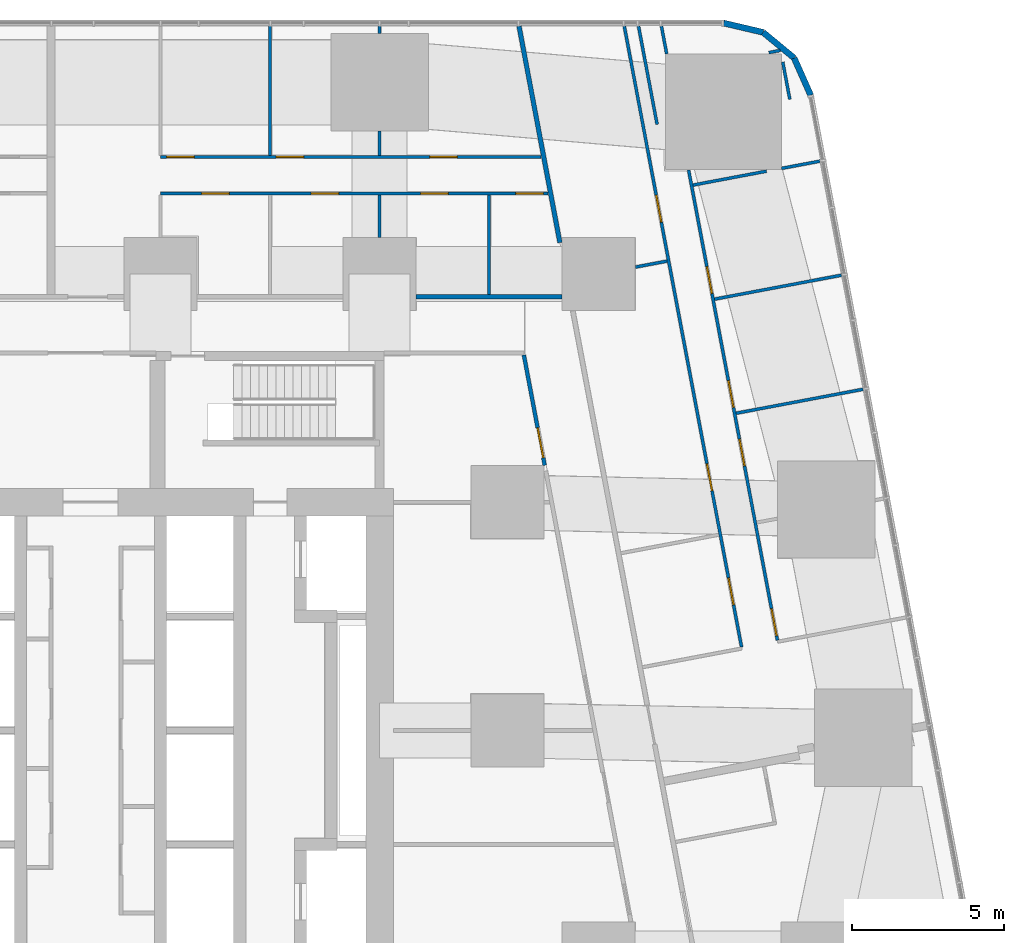
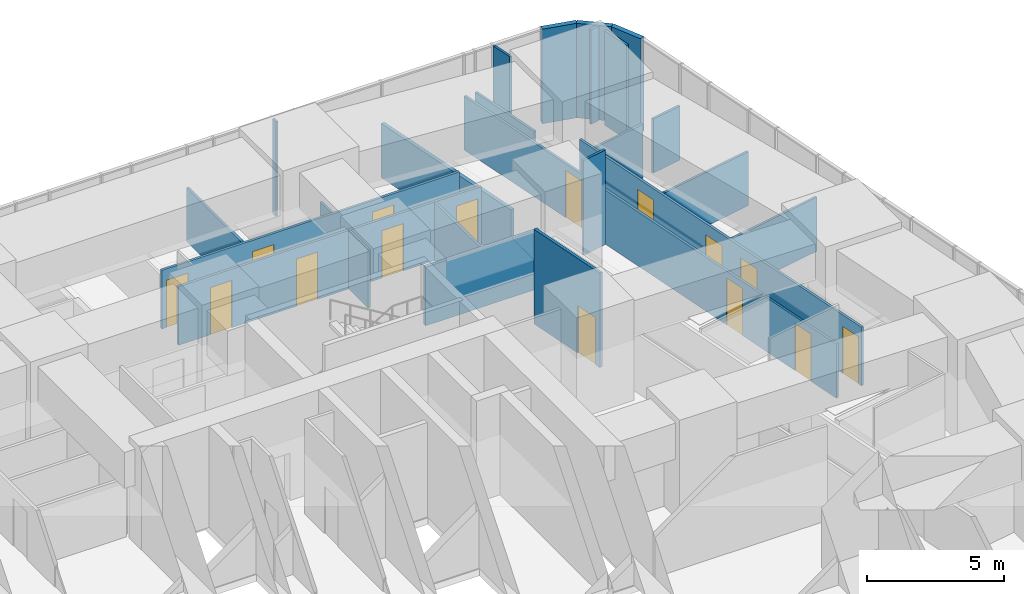
# One storey, part 19 of 23: 24 walls, 15 doors, 15 openings.
"""IFC4 building model written with IfcOpenShell, lengths in metres."""

from ifc_helpers import new_model, si_unit, direction, frame, frame_2d, origin, place, context, subcontext, project, spatial, rectangle, extrude, material, layer, layer_set, type_object, element, fill, save


model = new_model("IFC4")

# Units and contexts
model_context = context("Model", 3, precision=1e-05, world=origin(), true_north=direction((0.0, 1.0)))
body_context = subcontext(model_context, "Body", "Model", "MODEL_VIEW")
ifc_project = project(units=[si_unit("LENGTHUNIT", "METRE"), si_unit("AREAUNIT", "SQUARE_METRE"), si_unit("VOLUMEUNIT", "CUBIC_METRE"), si_unit("PLANEANGLEUNIT", "RADIAN"), si_unit("MASSUNIT", "GRAM", prefix="KILO")], contexts=[model_context])

# Site, building, storey
site_placement = place(None, origin())
site = spatial("IfcSite", under=ifc_project, at=site_placement, CompositionType="ELEMENT")
building_placement = place(site_placement, origin())
building = spatial("IfcBuilding", under=site, at=building_placement, Name="Sheger Commons Tower", CompositionType="ELEMENT")
storey_placement = place(building_placement, frame((0.0, 0.0, 5.60009765625)))
storey = spatial("IfcBuildingStorey", under=building, at=storey_placement, Name="L01", CompositionType="ELEMENT", Elevation=5.60009765625)

# Walls
ifc_material_1 = material(Name="Hollow concrete block masonry, skimmed both sides", Category="masonry")
ifc_layer_1 = layer(ifc_material_1, 0.14990234375)
ifc_layer_set_1 = layer_set([ifc_layer_1], Name="CORRIDOR WALL 150")
wall_type_1 = type_object("IfcWallType", Name="CORRIDOR WALL 150", PredefinedType="SOLIDWALL", material=ifc_layer_set_1)
wall_1_placement = place(storey_placement, frame((30.0009765625, 36.75, 0.0), z_axis=(0.0, 0.0, 1.0), x_axis=(1.0, 0.0, 0.0)))
element("IfcWall", 1, at=wall_1_placement, inside=storey, type_object=wall_type_1, Name="Corridor wall L01", PredefinedType="SOLIDWALL", context=body_context, shape_type="SweptSolid", body=[
    extrude(rectangle(XDim=4.798095703125, YDim=0.14990234375, at=frame_2d((2.39892578125, 0.0))), origin(), (0.0, 0.0, 1.0), 2.599853515625),
])
wall_2_placement = place(storey_placement, frame((33.382080078125, 45.64990234375, 0.0), z_axis=(0.0, 0.0, 1.0), x_axis=(0.185564463355, -0.982632092871, 0.0)))
element("IfcWall", 2, at=wall_2_placement, inside=storey, type_object=wall_type_1, Name="Corridor wall L01", PredefinedType="SOLIDWALL", context=body_context, shape_type="SweptSolid", body=[
    extrude(rectangle(XDim=7.24267578125, YDim=0.14990234375, at=frame_2d((3.621337890625, 0.0))), origin(), (0.0, 0.0, 1.0), 2.39990234375),
])
ifc_material_2 = material(Name="Rendered concrete block masonry, dark grey", Category="masonry")
ifc_layer_2 = layer(ifc_material_2, 0.199951171875)
ifc_layer_set_2 = layer_set([ifc_layer_2], Name="FACADE WALL 200")
wall_type_2 = type_object("IfcWallType", Name="FACADE WALL 200", PredefinedType="SOLIDWALL", material=ifc_layer_set_2)
wall_3_placement = place(storey_placement, frame((42.969970703125, 43.376953125, 0.0), z_axis=(0.0, 0.0, 1.0), x_axis=(-0.406002956633, 0.913871762998, 0.0)))
element("IfcWall", 3, at=wall_3_placement, inside=storey, type_object=wall_type_2, Name="Facade wall L01", PredefinedType="SOLIDWALL", context=body_context, shape_type="SweptSolid", body=[
    extrude(rectangle(XDim=1.33740234375, YDim=0.199951171875, at=frame_2d((0.668701171875, 0.0))), origin(), (0.0, 0.0, 1.0), 4.199951171875),
])
wall_4_placement = place(storey_placement, frame((42.427001953125, 44.59912109375, 0.0), z_axis=(0.0, 0.0, 1.0), x_axis=(-0.770091412544, 0.637933551655, 0.0)))
element("IfcWall", 4, at=wall_4_placement, inside=storey, type_object=wall_type_2, Name="Facade wall L01", PredefinedType="SOLIDWALL", context=body_context, shape_type="SweptSolid", body=[
    extrude(rectangle(XDim=1.324462890625, YDim=0.199951171875, at=frame_2d((0.662109375, 0.0))), origin(), (0.0, 0.0, 1.0), 4.199951171875),
])
wall_5_placement = place(storey_placement, frame((41.406982421875, 45.444091796875, 0.0), z_axis=(0.0, 0.0, 1.0), x_axis=(-0.973453091607, 0.228886606077, 0.0)))
element("IfcWall", 5, at=wall_5_placement, inside=storey, type_object=wall_type_2, Name="Facade wall L01", PredefinedType="SOLIDWALL", context=body_context, shape_type="SweptSolid", body=[
    extrude(rectangle(XDim=1.33642578125, YDim=0.199951171875, at=frame_2d((0.668212890625, 0.0))), origin(), (0.0, 0.0, 1.0), 4.199951171875),
])
ifc_material_3 = material(Name="Gypsum board on steel studs", Category="steel")
ifc_layer_3 = layer(ifc_material_3, 0.10009765625)
ifc_layer_set_3 = layer_set([ifc_layer_3], Name="PARTITION 100")
wall_type_3 = type_object("IfcWallType", Name="PARTITION 100", PredefinedType="PARTITIONING", material=ifc_layer_set_3)
wall_6_placement = place(storey_placement, frame((37.9208984375, 42.41796875, 0.0), z_axis=(0.0, 0.0, 1.0), x_axis=(-0.185713480744, 0.982603940085, 0.0)))
element("IfcWall", 6, at=wall_6_placement, inside=storey, type_object=wall_type_3, Name="Partition L01", PredefinedType="PARTITIONING", context=body_context, shape_type="SweptSolid", body=[
    extrude(rectangle(XDim=3.2890625, YDim=0.10009765625, at=frame_2d((1.64453125, 0.0))), origin(), (0.0, 0.0, 1.0), 2.39990234375),
])
wall_7_placement = place(storey_placement, frame((42.051025390625, 44.468994140625, 0.0), z_axis=(0.0, 0.0, 1.0), x_axis=(0.185728424166, -0.98260111564, 0.0)))
element("IfcWall", 7, at=wall_7_placement, inside=storey, type_object=wall_type_3, Name="Partition L01", PredefinedType="PARTITIONING", context=body_context, shape_type="SweptSolid", body=[
    extrude(rectangle(XDim=1.248779296875, YDim=0.10009765625, at=frame_2d((0.62451171875, 0.0))), origin(), (0.0, 0.0, 1.0), 4.199951171875),
])
wall_8_placement = place(storey_placement, frame((38.06298828125, 45.64990234375, 0.0), z_axis=(0.0, 0.0, 1.0), x_axis=(0.185288147753, -0.982684233262, 0.0)))
element("IfcWall", 8, at=wall_8_placement, inside=storey, type_object=wall_type_3, Name="Partition L01", PredefinedType="PARTITIONING", context=body_context, shape_type="SweptSolid", body=[
    extrude(rectangle(XDim=0.928955078125, YDim=0.10009765625, at=frame_2d((0.46435546875, 0.0))), origin(), (0.0, 0.0, 1.0), 4.199951171875),
])

# Wall, openings, doors
wall_9_placement = place(storey_placement, frame((38.9560546875, 40.919921875, 0.0), z_axis=(0.0, 0.0, 1.0), x_axis=(0.185636914727, -0.982618408077, 0.0)))
wall_9 = element("IfcWall", 9, at=wall_9_placement, inside=storey, type_object=wall_type_3, Name="Partition L01", PredefinedType="PARTITIONING", context=body_context, shape_type="SweptSolid", body=[
    extrude(rectangle(XDim=15.729248046875, YDim=0.10009765625, at=frame_2d((7.86474609375, 0.0))), origin(), (0.0, 0.0, 1.0), 2.599853515625),
])
opening_1_placement = place(wall_9_placement, frame((14.678955078125, 0.0, 0.0)))
opening_1 = element("IfcOpeningElement", 10, at=opening_1_placement, cuts=wall_9, Name="Opening D2", PredefinedType="OPENING", context=body_context, shape_type="SweptSolid", body=[
    extrude(rectangle(XDim=0.89990234375, YDim=2.10009765625, at=frame_2d((0.449951171875, 1.050048828125))), frame((0.0, 0.06005859375, 0.0), z_axis=(0.0, -1.0, 0.0), x_axis=(1.0, 0.0, 0.0)), (0.0, 0.0, 1.0), 0.1201171875),
])
opening_2_placement = place(wall_9_placement, frame((9.0, 0.0, 0.0)))
opening_2 = element("IfcOpeningElement", 11, at=opening_2_placement, cuts=wall_9, Name="Opening D2", PredefinedType="OPENING", context=body_context, shape_type="SweptSolid", body=[
    extrude(rectangle(XDim=0.89990234375, YDim=2.10009765625, at=frame_2d((0.449951171875, 1.050048828125))), frame((0.0, 0.06005859375, 0.0), z_axis=(0.0, -1.0, 0.0), x_axis=(1.0, 0.0, 0.0)), (0.0, 0.0, 1.0), 0.1201171875),
])
opening_3_placement = place(wall_9_placement, frame((7.0458984375, 0.0, 0.0)))
opening_3 = element("IfcOpeningElement", 12, at=opening_3_placement, cuts=wall_9, Name="Opening D2", PredefinedType="OPENING", context=body_context, shape_type="SweptSolid", body=[
    extrude(rectangle(XDim=0.89990234375, YDim=2.10009765625, at=frame_2d((0.449951171875, 1.050048828125))), frame((0.0, 0.06005859375, 0.0), z_axis=(0.0, -1.0, 0.0), x_axis=(1.0, 0.0, 0.0)), (0.0, 0.0, 1.0), 0.1201171875),
])
opening_4_placement = place(wall_9_placement, frame((3.23095703125, 0.0, 0.0)))
opening_4 = element("IfcOpeningElement", 13, at=opening_4_placement, cuts=wall_9, Name="Opening D2", PredefinedType="OPENING", context=body_context, shape_type="SweptSolid", body=[
    extrude(rectangle(XDim=0.89990234375, YDim=2.10009765625, at=frame_2d((0.449951171875, 1.050048828125))), frame((0.0, 0.06005859375, 0.0), z_axis=(0.0, -1.0, 0.0), x_axis=(1.0, 0.0, 0.0)), (0.0, 0.0, 1.0), 0.1201171875),
])
ifc_material_4 = material(Name="Timber door set", Category="wood")
door_type_1 = type_object("IfcDoorType", Name="INTERNAL DOOR 900x2100", OperationType="NOTDEFINED", PredefinedType="DOOR", material=ifc_material_4)
door_1_placement = place(opening_1_placement, origin())
door_1 = element("IfcDoor", 14, at=door_1_placement, inside=storey, type_object=door_type_1, Name="Consulting room door", OperationType="SINGLE_SWING_RIGHT", OverallHeight=2.10009765625, OverallWidth=0.89990234375, PredefinedType="DOOR", context=body_context, shape_type="SweptSolid", body=[
    extrude(rectangle(XDim=0.89990234375, YDim=2.10009765625, at=frame_2d((0.449951171875, 1.050048828125))), frame((0.0, 0.02490234375, 0.0), z_axis=(0.0, -1.0, 0.0), x_axis=(1.0, 0.0, 0.0)), (0.0, 0.0, 1.0), 0.050048828125),
])
fill(opening_1, door_1)
door_2_placement = place(opening_2_placement, origin())
door_2 = element("IfcDoor", 15, at=door_2_placement, inside=storey, type_object=door_type_1, Name="Examination room door", OperationType="SINGLE_SWING_LEFT", OverallHeight=2.10009765625, OverallWidth=0.89990234375, PredefinedType="DOOR", context=body_context, shape_type="SweptSolid", body=[
    extrude(rectangle(XDim=0.89990234375, YDim=2.10009765625, at=frame_2d((0.449951171875, 1.050048828125))), frame((0.0, 0.02490234375, 0.0), z_axis=(0.0, -1.0, 0.0), x_axis=(1.0, 0.0, 0.0)), (0.0, 0.0, 1.0), 0.050048828125),
])
fill(opening_2, door_2)
door_3_placement = place(opening_3_placement, origin())
door_3 = element("IfcDoor", 16, at=door_3_placement, inside=storey, type_object=door_type_1, Name="Consulting room door", OperationType="SINGLE_SWING_RIGHT", OverallHeight=2.10009765625, OverallWidth=0.89990234375, PredefinedType="DOOR", context=body_context, shape_type="SweptSolid", body=[
    extrude(rectangle(XDim=0.89990234375, YDim=2.10009765625, at=frame_2d((0.449951171875, 1.050048828125))), frame((0.0, 0.02490234375, 0.0), z_axis=(0.0, -1.0, 0.0), x_axis=(1.0, 0.0, 0.0)), (0.0, 0.0, 1.0), 0.050048828125),
])
fill(opening_3, door_3)
door_4_placement = place(opening_4_placement, origin())
door_4 = element("IfcDoor", 17, at=door_4_placement, inside=storey, type_object=door_type_1, Name="Examination room door", OperationType="SINGLE_SWING_RIGHT", OverallHeight=2.10009765625, OverallWidth=0.89990234375, PredefinedType="DOOR", context=body_context, shape_type="SweptSolid", body=[
    extrude(rectangle(XDim=0.89990234375, YDim=2.10009765625, at=frame_2d((0.449951171875, 1.050048828125))), frame((0.0, 0.02490234375, 0.0), z_axis=(0.0, -1.0, 0.0), x_axis=(1.0, 0.0, 0.0)), (0.0, 0.0, 1.0), 0.050048828125),
])
fill(opening_4, door_4)

wall_10_placement = place(storey_placement, frame((36.842041015625, 45.64990234375, 0.0), z_axis=(0.0, 0.0, 1.0), x_axis=(0.185559483963, -0.982633033188, 0.0)))
wall_10 = element("IfcWall", 18, at=wall_10_placement, inside=storey, type_object=wall_type_3, Name="Partition L01", PredefinedType="PARTITIONING", context=body_context, shape_type="SweptSolid", body=[
    extrude(rectangle(XDim=20.76953125, YDim=0.10009765625, at=frame_2d((10.384765625, 0.0))), origin(), (0.0, 0.0, 1.0), 2.39990234375),
])
opening_5_placement = place(wall_10_placement, frame((18.4619140625, 0.0, 0.0)))
opening_5 = element("IfcOpeningElement", 19, at=opening_5_placement, cuts=wall_10, Name="Opening D2", PredefinedType="OPENING", context=body_context, shape_type="SweptSolid", body=[
    extrude(rectangle(XDim=0.89990234375, YDim=2.10009765625, at=frame_2d((0.449951171875, 1.050048828125))), frame((0.0, 0.06005859375, 0.0), z_axis=(0.0, -1.0, 0.0), x_axis=(1.0, 0.0, 0.0)), (0.0, 0.0, 1.0), 0.1201171875),
])
opening_6_placement = place(wall_10_placement, frame((14.64501953125, 0.0, 0.0)))
opening_6 = element("IfcOpeningElement", 20, at=opening_6_placement, cuts=wall_10, Name="Opening D2", PredefinedType="OPENING", context=body_context, shape_type="SweptSolid", body=[
    extrude(rectangle(XDim=0.89990234375, YDim=2.10009765625, at=frame_2d((0.449951171875, 1.050048828125))), frame((0.0, 0.06005859375, 0.0), z_axis=(0.0, -1.0, 0.0), x_axis=(1.0, 0.0, 0.0)), (0.0, 0.0, 1.0), 0.1201171875),
])
opening_7_placement = place(wall_10_placement, frame((5.655029296875, 0.0, 0.0)))
opening_7 = element("IfcOpeningElement", 21, at=opening_7_placement, cuts=wall_10, Name="Opening D2", PredefinedType="OPENING", context=body_context, shape_type="SweptSolid", body=[
    extrude(rectangle(XDim=0.89990234375, YDim=2.10009765625, at=frame_2d((0.449951171875, 1.050048828125))), frame((0.0, 0.06005859375, 0.0), z_axis=(0.0, -1.0, 0.0), x_axis=(1.0, 0.0, 0.0)), (0.0, 0.0, 1.0), 0.1201171875),
])
door_5_placement = place(opening_5_placement, origin())
door_5 = element("IfcDoor", 22, at=door_5_placement, inside=storey, type_object=door_type_1, Name="Patient WC door", OperationType="SINGLE_SWING_LEFT", OverallHeight=2.10009765625, OverallWidth=0.89990234375, PredefinedType="DOOR", context=body_context, shape_type="SweptSolid", body=[
    extrude(rectangle(XDim=0.89990234375, YDim=2.10009765625, at=frame_2d((0.449951171875, 1.050048828125))), frame((0.0, 0.02490234375, 0.0), z_axis=(0.0, -1.0, 0.0), x_axis=(1.0, 0.0, 0.0)), (0.0, 0.0, 1.0), 0.050048828125),
])
fill(opening_5, door_5)
door_6_placement = place(opening_6_placement, origin())
door_6 = element("IfcDoor", 23, at=door_6_placement, inside=storey, type_object=door_type_1, Name="Treatment room door", OperationType="SINGLE_SWING_LEFT", OverallHeight=2.10009765625, OverallWidth=0.89990234375, PredefinedType="DOOR", context=body_context, shape_type="SweptSolid", body=[
    extrude(rectangle(XDim=0.89990234375, YDim=2.10009765625, at=frame_2d((0.449951171875, 1.050048828125))), frame((0.0, 0.02490234375, 0.0), z_axis=(0.0, -1.0, 0.0), x_axis=(1.0, 0.0, 0.0)), (0.0, 0.0, 1.0), 0.050048828125),
])
fill(opening_6, door_6)
door_7_placement = place(opening_7_placement, origin())
door_7 = element("IfcDoor", 24, at=door_7_placement, inside=storey, type_object=door_type_1, Name="Clean utility store door", OperationType="SINGLE_SWING_LEFT", OverallHeight=2.10009765625, OverallWidth=0.89990234375, PredefinedType="DOOR", context=body_context, shape_type="SweptSolid", body=[
    extrude(rectangle(XDim=0.89990234375, YDim=2.10009765625, at=frame_2d((0.449951171875, 1.050048828125))), frame((0.0, 0.02490234375, 0.0), z_axis=(0.0, -1.0, 0.0), x_axis=(1.0, 0.0, 0.0)), (0.0, 0.0, 1.0), 0.050048828125),
])
fill(opening_7, door_7)

# Walls
wall_11_placement = place(storey_placement, frame((41.968017578125, 44.85009765625, 0.0), z_axis=(0.0, 0.0, 1.0), x_axis=(-0.982433858219, -0.186611131032, 0.0)))
element("IfcWall", 25, at=wall_11_placement, inside=storey, type_object=wall_type_3, Name="Partition L01", PredefinedType="PARTITIONING", context=body_context, shape_type="SweptSolid", body=[
    extrude(rectangle(XDim=0.380615234375, YDim=0.10009765625, at=frame_2d((0.1904296875, 0.0))), origin(), (0.0, 0.0, 1.0), 4.199951171875),
])
wall_12_placement = place(storey_placement, frame((43.277099609375, 41.2119140625, 0.0), z_axis=(0.0, 0.0, 1.0), x_axis=(-0.982617952949, -0.185639323801, 0.0)))
element("IfcWall", 26, at=wall_12_placement, inside=storey, type_object=wall_type_3, Name="Partition L01", PredefinedType="PARTITIONING", context=body_context, shape_type="SweptSolid", body=[
    extrude(rectangle(XDim=1.28759765625, YDim=0.10009765625, at=frame_2d((0.643798828125, 0.0))), origin(), (0.0, 0.0, 1.0), 2.39990234375),
])
wall_13_placement = place(storey_placement, frame((41.52099609375, 40.881103515625, 0.0), z_axis=(0.0, 0.0, 1.0), x_axis=(-0.982628922785, -0.18558124934, 0.0)))
element("IfcWall", 27, at=wall_13_placement, inside=storey, type_object=wall_type_3, Name="Partition L01", PredefinedType="PARTITIONING", context=body_context, shape_type="SweptSolid", body=[
    extrude(rectangle(XDim=2.462646484375, YDim=0.10009765625, at=frame_2d((1.2314453125, 0.0))), origin(), (0.0, 0.0, 1.0), 2.39990234375),
])
wall_14_placement = place(storey_placement, frame((43.985107421875, 37.462890625, 0.0), z_axis=(0.0, 0.0, 1.0), x_axis=(-0.982623519589, -0.185609856287, 0.0)))
element("IfcWall", 28, at=wall_14_placement, inside=storey, type_object=wall_type_3, Name="Partition L01", PredefinedType="PARTITIONING", context=body_context, shape_type="SweptSolid", body=[
    extrude(rectangle(XDim=4.249755859375, YDim=0.10009765625, at=frame_2d((2.125, 0.0))), origin(), (0.0, 0.0, 1.0), 2.39990234375),
])
wall_15_placement = place(storey_placement, frame((44.693115234375, 33.712890625, 0.0), z_axis=(0.0, 0.0, 1.0), x_axis=(-0.982615600536, -0.185651775062, 0.0)))
element("IfcWall", 29, at=wall_15_placement, inside=storey, type_object=wall_type_3, Name="Partition L01", PredefinedType="PARTITIONING", context=body_context, shape_type="SweptSolid", body=[
    extrude(rectangle(XDim=4.2490234375, YDim=0.10009765625, at=frame_2d((2.12451171875, 0.0))), origin(), (0.0, 0.0, 1.0), 2.39990234375),
])
wall_16_placement = place(storey_placement, frame((38.25, 37.925048828125, 0.0), z_axis=(0.0, 0.0, 1.0), x_axis=(-0.982694151031, -0.185235540676, 0.0)))
element("IfcWall", 30, at=wall_16_placement, inside=storey, type_object=wall_type_3, Name="Partition L01", PredefinedType="PARTITIONING", context=body_context, shape_type="SweptSolid", body=[
    extrude(rectangle(XDim=1.058349609375, YDim=0.10009765625, at=frame_2d((0.529296875, 0.0))), origin(), (0.0, 0.0, 1.0), 4.199951171875),
])

# Wall, openings, doors
wall_17_placement = place(storey_placement, frame((21.60009765625, 41.35009765625, 0.0), z_axis=(0.0, 0.0, 1.0), x_axis=(1.0, 0.0, 0.0)))
wall_17 = element("IfcWall", 31, at=wall_17_placement, inside=storey, type_object=wall_type_3, Name="Partition L01", PredefinedType="PARTITIONING", context=body_context, shape_type="SweptSolid", body=[
    extrude(rectangle(XDim=12.5078125, YDim=0.10009765625, at=frame_2d((6.25390625, 0.0))), origin(), (0.0, 0.0, 1.0), 2.599853515625),
])
opening_8_placement = place(wall_17_placement, frame((0.199951171875, 0.0, 0.0)))
opening_8 = element("IfcOpeningElement", 32, at=opening_8_placement, cuts=wall_17, Name="Opening D2", PredefinedType="OPENING", context=body_context, shape_type="SweptSolid", body=[
    extrude(rectangle(XDim=0.89990234375, YDim=2.10009765625, at=frame_2d((0.449951171875, 1.050048828125))), frame((0.0, 0.06005859375, 0.0), z_axis=(0.0, -1.0, 0.0), x_axis=(1.0, 0.0, 0.0)), (0.0, 0.0, 1.0), 0.1201171875),
])
opening_9_placement = place(wall_17_placement, frame((3.800048828125, 0.0, 0.0)))
opening_9 = element("IfcOpeningElement", 33, at=opening_9_placement, cuts=wall_17, Name="Opening D2", PredefinedType="OPENING", context=body_context, shape_type="SweptSolid", body=[
    extrude(rectangle(XDim=0.89990234375, YDim=2.10009765625, at=frame_2d((0.449951171875, 1.050048828125))), frame((0.0, 0.06005859375, 0.0), z_axis=(0.0, -1.0, 0.0), x_axis=(1.0, 0.0, 0.0)), (0.0, 0.0, 1.0), 0.1201171875),
])
opening_10_placement = place(wall_17_placement, frame((8.85009765625, 0.0, 0.0)))
opening_10 = element("IfcOpeningElement", 34, at=opening_10_placement, cuts=wall_17, Name="Opening D2", PredefinedType="OPENING", context=body_context, shape_type="SweptSolid", body=[
    extrude(rectangle(XDim=0.89990234375, YDim=2.10009765625, at=frame_2d((0.449951171875, 1.050048828125))), frame((0.0, 0.06005859375, 0.0), z_axis=(0.0, -1.0, 0.0), x_axis=(1.0, 0.0, 0.0)), (0.0, 0.0, 1.0), 0.1201171875),
])
door_8_placement = place(opening_8_placement, origin())
door_8 = element("IfcDoor", 35, at=door_8_placement, inside=storey, type_object=door_type_1, Name="Consulting room door", OperationType="SINGLE_SWING_LEFT", OverallHeight=2.10009765625, OverallWidth=0.89990234375, PredefinedType="DOOR", context=body_context, shape_type="SweptSolid", body=[
    extrude(rectangle(XDim=0.89990234375, YDim=2.10009765625, at=frame_2d((0.449951171875, 1.050048828125))), frame((0.0, 0.02490234375, 0.0), z_axis=(0.0, -1.0, 0.0), x_axis=(1.0, 0.0, 0.0)), (0.0, 0.0, 1.0), 0.050048828125),
])
fill(opening_8, door_8)
door_9_placement = place(opening_9_placement, origin())
door_9 = element("IfcDoor", 36, at=door_9_placement, inside=storey, type_object=door_type_1, Name="Examination room door", OperationType="SINGLE_SWING_LEFT", OverallHeight=2.10009765625, OverallWidth=0.89990234375, PredefinedType="DOOR", context=body_context, shape_type="SweptSolid", body=[
    extrude(rectangle(XDim=0.89990234375, YDim=2.10009765625, at=frame_2d((0.449951171875, 1.050048828125))), frame((0.0, 0.02490234375, 0.0), z_axis=(0.0, -1.0, 0.0), x_axis=(1.0, 0.0, 0.0)), (0.0, 0.0, 1.0), 0.050048828125),
])
fill(opening_9, door_9)
door_10_placement = place(opening_10_placement, origin())
door_10 = element("IfcDoor", 37, at=door_10_placement, inside=storey, type_object=door_type_1, Name="Consulting room door", OperationType="SINGLE_SWING_LEFT", OverallHeight=2.10009765625, OverallWidth=0.89990234375, PredefinedType="DOOR", context=body_context, shape_type="SweptSolid", body=[
    extrude(rectangle(XDim=0.89990234375, YDim=2.10009765625, at=frame_2d((0.449951171875, 1.050048828125))), frame((0.0, 0.02490234375, 0.0), z_axis=(0.0, -1.0, 0.0), x_axis=(1.0, 0.0, 0.0)), (0.0, 0.0, 1.0), 0.050048828125),
])
fill(opening_10, door_10)

wall_18_placement = place(storey_placement, frame((21.60009765625, 40.14990234375, 0.0), z_axis=(0.0, 0.0, 1.0), x_axis=(1.0, 0.0, 0.0)))
wall_18 = element("IfcWall", 38, at=wall_18_placement, inside=storey, type_object=wall_type_3, Name="Partition L01", PredefinedType="PARTITIONING", context=body_context, shape_type="SweptSolid", body=[
    extrude(rectangle(XDim=12.73486328125, YDim=0.10009765625, at=frame_2d((6.367431640625, 0.0))), origin(), (0.0, 0.0, 1.0), 2.599853515625),
])
opening_11_placement = place(wall_18_placement, frame((1.35009765625, 0.0, 0.0)))
opening_11 = element("IfcOpeningElement", 39, at=opening_11_placement, cuts=wall_18, Name="Opening D2", PredefinedType="OPENING", context=body_context, shape_type="SweptSolid", body=[
    extrude(rectangle(XDim=0.89990234375, YDim=2.10009765625, at=frame_2d((0.449951171875, 1.050048828125))), frame((0.0, 0.06005859375, 0.0), z_axis=(0.0, -1.0, 0.0), x_axis=(1.0, 0.0, 0.0)), (0.0, 0.0, 1.0), 0.1201171875),
])
opening_12_placement = place(wall_18_placement, frame((4.949951171875, 0.0, 0.0)))
opening_12 = element("IfcOpeningElement", 40, at=opening_12_placement, cuts=wall_18, Name="Opening D2", PredefinedType="OPENING", context=body_context, shape_type="SweptSolid", body=[
    extrude(rectangle(XDim=0.89990234375, YDim=2.10009765625, at=frame_2d((0.449951171875, 1.050048828125))), frame((0.0, 0.06005859375, 0.0), z_axis=(0.0, -1.0, 0.0), x_axis=(1.0, 0.0, 0.0)), (0.0, 0.0, 1.0), 0.1201171875),
])
opening_13_placement = place(wall_18_placement, frame((8.550048828125, 0.0, 0.0)))
opening_13 = element("IfcOpeningElement", 41, at=opening_13_placement, cuts=wall_18, Name="Opening D2", PredefinedType="OPENING", context=body_context, shape_type="SweptSolid", body=[
    extrude(rectangle(XDim=0.89990234375, YDim=2.10009765625, at=frame_2d((0.449951171875, 1.050048828125))), frame((0.0, 0.06005859375, 0.0), z_axis=(0.0, -1.0, 0.0), x_axis=(1.0, 0.0, 0.0)), (0.0, 0.0, 1.0), 0.1201171875),
])
opening_14_placement = place(wall_18_placement, frame((11.680908203125, 0.0, 0.0)))
opening_14 = element("IfcOpeningElement", 42, at=opening_14_placement, cuts=wall_18, Name="Opening D2", PredefinedType="OPENING", context=body_context, shape_type="SweptSolid", body=[
    extrude(rectangle(XDim=0.89990234375, YDim=2.10009765625, at=frame_2d((0.449951171875, 1.050048828125))), frame((0.0, 0.06005859375, 0.0), z_axis=(0.0, -1.0, 0.0), x_axis=(1.0, 0.0, 0.0)), (0.0, 0.0, 1.0), 0.1201171875),
])
door_11_placement = place(opening_11_placement, origin())
door_11 = element("IfcDoor", 43, at=door_11_placement, inside=storey, type_object=door_type_1, Name="Patient WC door", OperationType="SINGLE_SWING_RIGHT", OverallHeight=2.10009765625, OverallWidth=0.89990234375, PredefinedType="DOOR", context=body_context, shape_type="SweptSolid", body=[
    extrude(rectangle(XDim=0.89990234375, YDim=2.10009765625, at=frame_2d((0.449951171875, 1.050048828125))), frame((0.0, 0.02490234375, 0.0), z_axis=(0.0, -1.0, 0.0), x_axis=(1.0, 0.0, 0.0)), (0.0, 0.0, 1.0), 0.050048828125),
])
fill(opening_11, door_11)
door_12_placement = place(opening_12_placement, origin())
door_12 = element("IfcDoor", 44, at=door_12_placement, inside=storey, type_object=door_type_1, Name="Treatment room door", OperationType="SINGLE_SWING_LEFT", OverallHeight=2.10009765625, OverallWidth=0.89990234375, PredefinedType="DOOR", context=body_context, shape_type="SweptSolid", body=[
    extrude(rectangle(XDim=0.89990234375, YDim=2.10009765625, at=frame_2d((0.449951171875, 1.050048828125))), frame((0.0, 0.02490234375, 0.0), z_axis=(0.0, -1.0, 0.0), x_axis=(1.0, 0.0, 0.0)), (0.0, 0.0, 1.0), 0.050048828125),
])
fill(opening_12, door_12)
door_13_placement = place(opening_13_placement, origin())
door_13 = element("IfcDoor", 45, at=door_13_placement, inside=storey, type_object=door_type_1, Name="Treatment room door", OperationType="SINGLE_SWING_LEFT", OverallHeight=2.10009765625, OverallWidth=0.89990234375, PredefinedType="DOOR", context=body_context, shape_type="SweptSolid", body=[
    extrude(rectangle(XDim=0.89990234375, YDim=2.10009765625, at=frame_2d((0.449951171875, 1.050048828125))), frame((0.0, 0.02490234375, 0.0), z_axis=(0.0, -1.0, 0.0), x_axis=(1.0, 0.0, 0.0)), (0.0, 0.0, 1.0), 0.050048828125),
])
fill(opening_13, door_13)
door_14_placement = place(opening_14_placement, origin())
door_14 = element("IfcDoor", 46, at=door_14_placement, inside=storey, type_object=door_type_1, Name="Clean utility store door", OperationType="SINGLE_SWING_LEFT", OverallHeight=2.10009765625, OverallWidth=0.89990234375, PredefinedType="DOOR", context=body_context, shape_type="SweptSolid", body=[
    extrude(rectangle(XDim=0.89990234375, YDim=2.10009765625, at=frame_2d((0.449951171875, 1.050048828125))), frame((0.0, 0.02490234375, 0.0), z_axis=(0.0, -1.0, 0.0), x_axis=(1.0, 0.0, 0.0)), (0.0, 0.0, 1.0), 0.050048828125),
])
fill(opening_14, door_14)

# Walls
wall_19_placement = place(storey_placement, frame((25.199951171875, 41.39990234375, 0.0), z_axis=(0.0, 0.0, 1.0), x_axis=(0.0, 1.0, 0.0)))
element("IfcWall", 47, at=wall_19_placement, inside=storey, type_object=wall_type_3, Name="Partition L01", PredefinedType="PARTITIONING", context=body_context, shape_type="SweptSolid", body=[
    extrude(rectangle(XDim=4.25, YDim=0.10009765625, at=frame_2d((2.125, 0.0))), origin(), (0.0, 0.0, 1.0), 2.39990234375),
])
wall_20_placement = place(storey_placement, frame((28.800048828125, 41.39990234375, 0.0), z_axis=(0.0, 0.0, 1.0), x_axis=(0.0, 1.0, 0.0)))
element("IfcWall", 48, at=wall_20_placement, inside=storey, type_object=wall_type_3, Name="Partition L01", PredefinedType="PARTITIONING", context=body_context, shape_type="SweptSolid", body=[
    extrude(rectangle(XDim=0.799072265625, YDim=0.10009765625, at=frame_2d((0.3994140625, 0.0))), origin(), (0.0, 0.0, 1.0), 2.599853515625),
])
wall_21_placement = place(storey_placement, frame((28.800048828125, 45.40087890625, 0.0), z_axis=(0.0, 0.0, 1.0), x_axis=(0.0, 1.0, 0.0)))
element("IfcWall", 49, at=wall_21_placement, inside=storey, type_object=wall_type_3, Name="Partition L01", PredefinedType="PARTITIONING", context=body_context, shape_type="SweptSolid", body=[
    extrude(rectangle(XDim=0.2490234375, YDim=0.10009765625, at=frame_2d((0.12451171875, 0.0))), origin(), (0.0, 0.0, 1.0), 4.199951171875),
])
wall_22_placement = place(storey_placement, frame((28.800048828125, 38.700927734375, 0.0), z_axis=(0.0, 0.0, 1.0), x_axis=(0.0, 1.0, 0.0)))
element("IfcWall", 50, at=wall_22_placement, inside=storey, type_object=wall_type_3, Name="Partition L01", PredefinedType="PARTITIONING", context=body_context, shape_type="SweptSolid", body=[
    extrude(rectangle(XDim=1.399169921875, YDim=0.10009765625, at=frame_2d((0.69970703125, 0.0))), origin(), (0.0, 0.0, 1.0), 2.599853515625),
])
wall_23_placement = place(storey_placement, frame((32.39990234375, 36.824951171875, 0.0), z_axis=(0.0, 0.0, 1.0), x_axis=(0.0, 1.0, 0.0)))
element("IfcWall", 51, at=wall_23_placement, inside=storey, type_object=wall_type_3, Name="Partition L01", PredefinedType="PARTITIONING", context=body_context, shape_type="SweptSolid", body=[
    extrude(rectangle(XDim=3.275146484375, YDim=0.10009765625, at=frame_2d((1.6376953125, 0.0))), origin(), (0.0, 0.0, 1.0), 2.599853515625),
])

# Wall, opening, door
ifc_material_5 = material(Name="Gypsum board on steel studs, two layers each side, fire rated", Category="steel")
ifc_layer_4 = layer(ifc_material_5, 0.125)
ifc_layer_set_4 = layer_set([ifc_layer_4], Name="SERVICE WALL 125")
wall_type_4 = type_object("IfcWallType", Name="SERVICE WALL 125", PredefinedType="PARTITIONING", material=ifc_layer_set_4)
wall_24_placement = place(storey_placement, frame((34.22607421875, 31.212890625, 0.0), z_axis=(0.0, 0.0, 1.0), x_axis=(-0.185694811189, 0.982607468472, 0.0)))
wall_24 = element("IfcWall", 52, at=wall_24_placement, inside=storey, type_object=wall_type_4, Name="Service room wall L01", PredefinedType="PARTITIONING", context=body_context, shape_type="SweptSolid", body=[
    extrude(rectangle(XDim=3.689208984375, YDim=0.125, at=frame_2d((1.8447265625, 0.0))), origin(), (0.0, 0.0, 1.0), 4.199951171875),
])
opening_15_placement = place(wall_24_placement, frame((0.25, 0.0, 0.0)))
opening_15 = element("IfcOpeningElement", 53, at=opening_15_placement, cuts=wall_24, Name="Opening D4", PredefinedType="OPENING", context=body_context, shape_type="SweptSolid", body=[
    extrude(rectangle(XDim=1.0, YDim=2.10009765625, at=frame_2d((0.5, 1.050048828125))), frame((0.0, 0.072509765625, 0.0), z_axis=(0.0, -1.0, 0.0), x_axis=(1.0, 0.0, 0.0)), (0.0, 0.0, 1.0), 0.14501953125),
])
ifc_material_6 = material(Name="Steel door set, fire rated", Category="steel")
door_type_2 = type_object("IfcDoorType", Name="SERVICE DOOR 1000x2100", OperationType="NOTDEFINED", PredefinedType="DOOR", material=ifc_material_6)
door_15_placement = place(opening_15_placement, origin())
door_15 = element("IfcDoor", 54, at=door_15_placement, inside=storey, type_object=door_type_2, Name="Store door", OperationType="SINGLE_SWING_LEFT", OverallHeight=2.10009765625, OverallWidth=1.0, PredefinedType="DOOR", context=body_context, shape_type="SweptSolid", body=[
    extrude(rectangle(XDim=1.0, YDim=2.10009765625, at=frame_2d((0.5, 1.050048828125))), frame((0.0, 0.02490234375, 0.0), z_axis=(0.0, -1.0, 0.0), x_axis=(1.0, 0.0, 0.0)), (0.0, 0.0, 1.0), 0.050048828125),
])
fill(opening_15, door_15)

save(model, "model.ifc")
